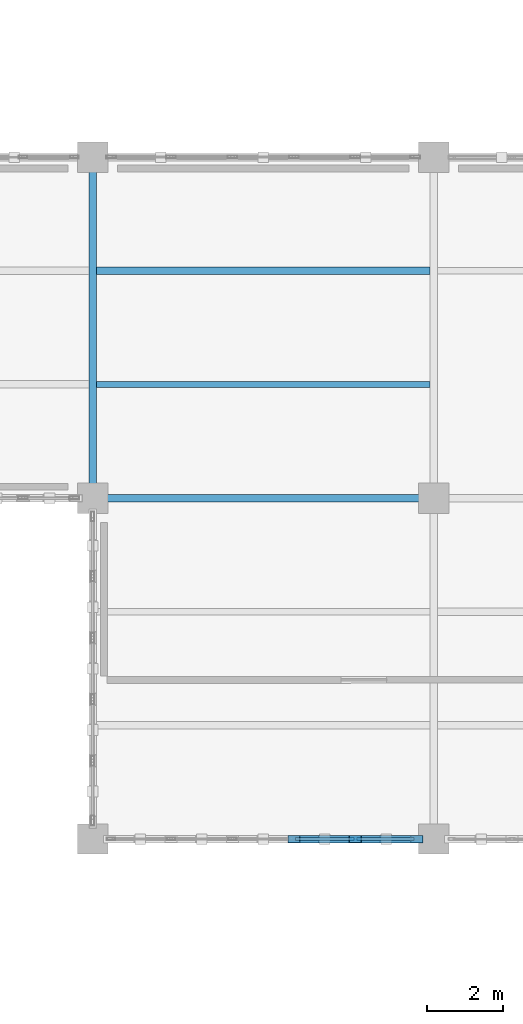
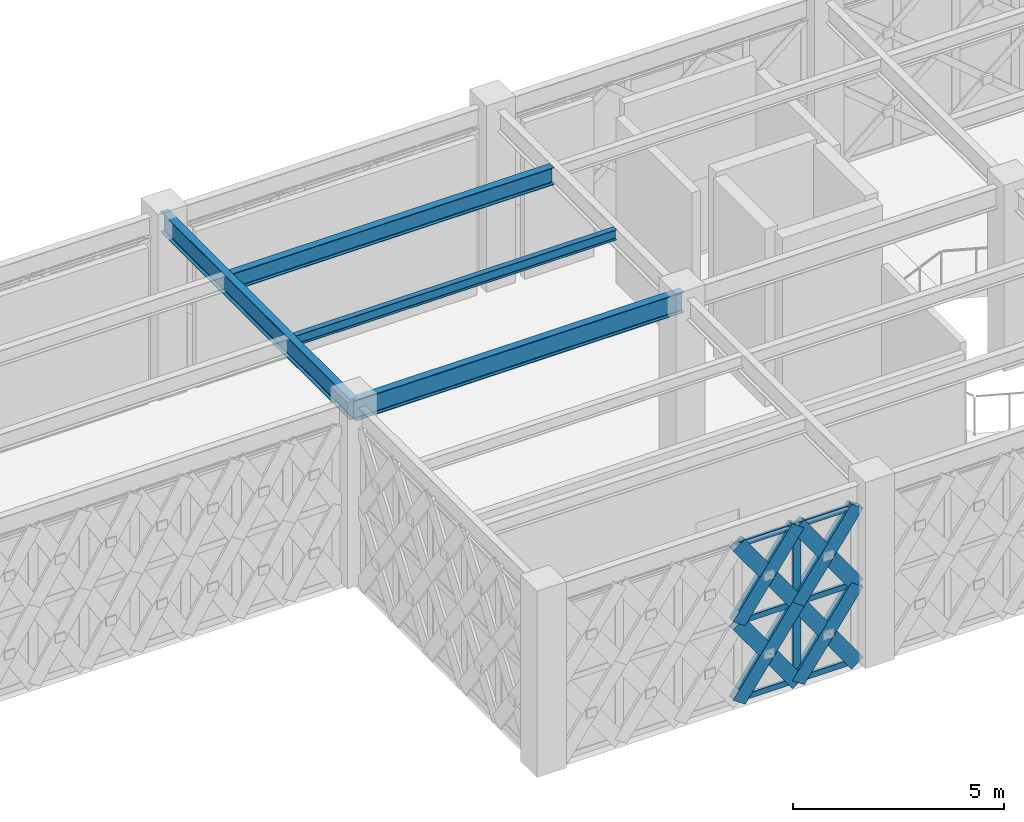
# One storey, part 7 of 86: 19 members, 4 beams, 1 element without a shape of its own.
"""IFC4 building model written with IfcOpenShell, lengths in metres."""

import ifcopenshell
import ifcopenshell.guid

model = None  # the IFC model being written
_history = None  # IfcOwnerHistory: only IFC2X3 demands one
_inside = {}  # id of a spatial element -> (the spatial element, [elements in it])
_under = {}  # id of a project, library or spatial element -> (it, [spatial elements below it])
_declared = {}  # id of a project -> (the project, [libraries it declares])
_typed = {}  # id of a type object -> (the type object, [elements of that type])
_made_of = {}  # id of a material, layer set ... -> (it, [elements and type objects made of it])


def new_model(schema):
    """Start an empty IFC model of exactly this schema.

    Asked for "IFC4X3", IfcOpenShell would pick the latest addendum, in which some entities
    have other attributes; the version numbers below select the first issue.
    IFC2X3 requires an IfcOwnerHistory on every rooted entity: one is made here for all.
    """
    global model, _history
    if schema == "IFC4X3":
        model = ifcopenshell.file(schema_version=(4, 3, 0, 0))
    else:
        model = ifcopenshell.file(schema=schema)
    _inside.clear()
    _under.clear()
    _declared.clear()
    _typed.clear()
    _made_of.clear()
    _history = None
    if model.schema == "IFC2X3":
        org = make("IfcOrganization", Name="unknown")
        user = make(
            "IfcPersonAndOrganization",
            ThePerson=make("IfcPerson", FamilyName="unknown"),
            TheOrganization=org,
        )
        app = make(
            "IfcApplication",
            ApplicationDeveloper=org,
            Version="unknown",
            ApplicationFullName="unknown",
            ApplicationIdentifier="unknown",
        )
        _history = make(
            "IfcOwnerHistory",
            OwningUser=user,
            OwningApplication=app,
            ChangeAction="ADDED",
            CreationDate=0,
        )
    return model


def make(cls, **values):
    """One entity of the class cls with the attributes given. An attribute that is None is left unset."""
    return model.create_entity(
        cls, **{name: value for name, value in values.items() if value is not None}
    )


def rooted(cls, **values):
    """An entity with a GlobalId (a new one), such as an element, a storey or a relation."""
    return make(cls, GlobalId=ifcopenshell.guid.new(), OwnerHistory=_history, **values)


def si_unit(unit_type, name, prefix=None):
    """IfcSIUnit, for example si_unit("LENGTHUNIT", "METRE", prefix="MILLI")."""
    return make("IfcSIUnit", UnitType=unit_type, Prefix=prefix, Name=name)


def assignment(units):
    """IfcUnitAssignment: the units of a project."""
    return None if units is None else make("IfcUnitAssignment", Units=units)


def point(xyz):
    """IfcCartesianPoint."""
    return None if xyz is None else make("IfcCartesianPoint", Coordinates=xyz)


def direction(xyz):
    """IfcDirection."""
    return None if xyz is None else make("IfcDirection", DirectionRatios=xyz)


def frame(location, z_axis=None, x_axis=None):
    """IfcAxis2Placement3D, a coordinate frame: its origin and axes. An axis left out is left unset."""
    return make(
        "IfcAxis2Placement3D",
        Location=point(location),
        Axis=direction(z_axis),
        RefDirection=direction(x_axis),
    )


def frame_2d(location, x_axis=None):
    """IfcAxis2Placement2D, a coordinate frame in the plane: its origin and x axis."""
    return make(
        "IfcAxis2Placement2D", Location=point(location), RefDirection=direction(x_axis)
    )


def origin():
    """The frame at (0, 0, 0) with its axes left unset."""
    return frame((0.0, 0.0, 0.0))


def origin_2d():
    """The frame at (0, 0) in the plane with its x axis left unset."""
    return frame_2d((0.0, 0.0))


def place(relative_to, where):
    """IfcLocalPlacement: puts the frame where relative to a parent placement (None: the world)."""
    return make(
        "IfcLocalPlacement", PlacementRelTo=relative_to, RelativePlacement=where
    )


def context(
    kind, dimensions, precision=None, world=None, true_north=None, identifier=None
):
    """IfcGeometricRepresentationContext, for example the 3D "Model" context."""
    return make(
        "IfcGeometricRepresentationContext",
        ContextIdentifier=identifier,
        ContextType=kind,
        CoordinateSpaceDimension=dimensions,
        Precision=precision,
        WorldCoordinateSystem=world,
        TrueNorth=true_north,
    )


def subcontext(parent, identifier, kind, view, scale=None):
    """IfcGeometricRepresentationSubContext, for example "Body" below "Model"."""
    return make(
        "IfcGeometricRepresentationSubContext",
        ContextIdentifier=identifier,
        ContextType=kind,
        ParentContext=parent,
        TargetScale=scale,
        TargetView=view,
    )


def project(units=None, contexts=None):
    """IfcProject with its units and contexts."""
    return rooted(
        "IfcProject",
        Name="project",
        RepresentationContexts=contexts,
        UnitsInContext=assignment(units),
    )


def spatial(cls, under=None, at=None, **own):
    """A site, building, storey or space (cls), placed at a placement, below another one or the project."""
    s = rooted(cls, ObjectPlacement=at, **own)
    if under is not None:
        _under.setdefault(under.id(), (under, []))[1].append(s)
    return s


def profile(cls, at=None, kind="AREA", **sizes):
    """A parametric profile (cls). Its sizes go by their IFC names, for example OverallWidth=200.0."""
    return make(cls, ProfileType=kind, Position=at, **sizes)


def hollow_rectangle(**sizes):
    """IfcRectangleHollowProfileDef."""
    return profile("IfcRectangleHollowProfileDef", **sizes)


def i_section(**sizes):
    """IfcIShapeProfileDef."""
    return profile("IfcIShapeProfileDef", **sizes)


def extrude(swept, where, along, depth):
    """IfcExtrudedAreaSolid: the profile swept, set in the frame where, extruded along a direction by depth."""
    return make(
        "IfcExtrudedAreaSolid",
        SweptArea=swept,
        Position=where,
        ExtrudedDirection=direction(along),
        Depth=depth,
    )


def shape(context_of_items, identifier, shape_type, items):
    """IfcShapeRepresentation: the items that make up one representation, for example the "Body"."""
    return make(
        "IfcShapeRepresentation",
        ContextOfItems=context_of_items,
        RepresentationIdentifier=identifier,
        RepresentationType=shape_type,
        Items=items,
    )


def material(Name=None, Category=None):
    """IfcMaterial."""
    return make("IfcMaterial", Name=Name, Category=Category)


def material_profile(
    of_material, cross_section, Name=None, Category=None, Priority=None
):
    """IfcMaterialProfile: a cross section and its material."""
    return make(
        "IfcMaterialProfile",
        Name=Name,
        Material=of_material,
        Profile=cross_section,
        Priority=Priority,
        Category=Category,
    )


def profile_set(profiles, Name=None, composite=None):
    """IfcMaterialProfileSet."""
    return make(
        "IfcMaterialProfileSet",
        Name=Name,
        MaterialProfiles=profiles,
        CompositeProfile=composite,
    )


def made_of(thing, what):
    """Note that an element or type object is made of a material, layer set ...; save() writes the relation."""
    if what is not None:
        _made_of.setdefault(what.id(), (what, []))[1].append(thing)
    return thing


def type_object(cls, material=None, **own):
    """A type object (cls), such as IfcWallType, which elements share."""
    return made_of(rooted(cls, **own), material)


def element(
    cls,
    number,
    at=None,
    inside=None,
    cuts=None,
    type_object=None,
    material=None,
    context=None,
    identifier="Body",
    shape_type=None,
    held_by="IfcProductDefinitionShape",
    body=None,
    shapes=None,
    **own,
):
    """One element of the class cls, such as IfcWall. Its Tag is "e" and its number.

    at: its placement. inside: the storey or other place that contains it. cuts: it is an
    opening in that element (IfcRelVoidsElement). A single representation is given by context,
    identifier, shape_type and body (its items); several are given by shapes. held_by: the class
    of the entity that holds the representations. save() writes the other relations.
    """
    e = rooted(cls, Tag="e%d" % number, ObjectPlacement=at, **own)
    if body is not None:
        shapes = [shape(context, identifier, shape_type, body)]
    if shapes is not None:
        e.Representation = make(held_by, Representations=shapes)
    if inside is not None:
        _inside.setdefault(inside.id(), (inside, []))[1].append(e)
    if cuts is not None:
        rooted(
            "IfcRelVoidsElement", RelatingBuildingElement=cuts, RelatedOpeningElement=e
        )
    if type_object is not None:
        _typed.setdefault(type_object.id(), (type_object, []))[1].append(e)
    return made_of(e, material)


def aggregate(whole, parts):
    """IfcRelAggregates: a whole, such as a stair, and the parts it consists of."""
    return rooted("IfcRelAggregates", RelatingObject=whole, RelatedObjects=parts)


def save(model, path):
    """Write the relations noted so far, then the file.

    IfcRelAggregates (storeys below a building ...), IfcRelContainedInSpatialStructure (elements
    in a storey), IfcRelDefinesByType, IfcRelAssociatesMaterial and IfcRelDeclares: one each for
    every whole, place, type object, material and project.
    """
    for whole, parts in _under.values():
        aggregate(whole, parts)
    for where, things in _inside.values():
        rooted(
            "IfcRelContainedInSpatialStructure",
            RelatedElements=things,
            RelatingStructure=where,
        )
    for kind, things in _typed.values():
        rooted("IfcRelDefinesByType", RelatedObjects=things, RelatingType=kind)
    for what, things in _made_of.values():
        rooted("IfcRelAssociatesMaterial", RelatedObjects=things, RelatingMaterial=what)
    for by, libraries in _declared.values():
        rooted("IfcRelDeclares", RelatingContext=by, RelatedDefinitions=libraries)
    model.write(path)


model = new_model("IFC4")

# Units and contexts
model_context = context("Model", 3, precision=1e-05, world=origin(), true_north=direction((0.0, 1.0)))
body_context = subcontext(model_context, "Body", "Model", "MODEL_VIEW")
ifc_project = project(units=[si_unit("LENGTHUNIT", "METRE"), si_unit("AREAUNIT", "SQUARE_METRE"), si_unit("VOLUMEUNIT", "CUBIC_METRE"), si_unit("PLANEANGLEUNIT", "RADIAN"), si_unit("MASSUNIT", "GRAM", prefix="KILO")], contexts=[model_context])

# Site, building, storey
site_placement = place(None, origin())
site = spatial("IfcSite", under=ifc_project, at=site_placement, CompositionType="ELEMENT")
building_placement = place(site_placement, origin())
building = spatial("IfcBuilding", under=site, at=building_placement, Name="Haizhuo Lancet Aquarium", CompositionType="ELEMENT")
storey_placement = place(building_placement, frame((0.0, 0.0, 16.199951171875)))
storey = spatial("IfcBuildingStorey", under=building, at=storey_placement, Name="L03", CompositionType="ELEMENT", Elevation=16.199951171875)

# Beams
ifc_material_1 = material(Name="Steel S355", Category="steel")
ifc_material_profile_1 = material_profile(ifc_material_1, i_section(OverallWidth=0.199951171875, OverallDepth=0.60009765625, WebThickness=0.010986328125, FlangeThickness=0.01708984375, FilletRadius=0.02197265625, at=origin_2d()), Name="HN 600x200x11x17")
ifc_profile_set_1 = profile_set([ifc_material_profile_1], Name="Steel S355")
beam_type_1 = type_object("IfcBeamType", Name="BM-ST-HN600", PredefinedType="BEAM", material=ifc_profile_set_1)
for number, where, z_axis, x_axis, name in (
    (1, (-72.0, -18.0, 4.85009765625), (0.0, 1.0, 0.0), (-1.0, 0.0, 0.0), "L03 V6 primary girder BM-L03-V6-006"),
    (2, (-72.0, -18.0, 4.85009765625), (1.0, 0.0, 0.0), (0.0, 1.0, 0.0), "L03 V6 primary girder BM-L03-V6-007"),
):
    element("IfcBeam", number, at=place(storey_placement, frame(where, z_axis=z_axis, x_axis=x_axis)), inside=storey, type_object=beam_type_1, Name=name, PredefinedType="BEAM", context=body_context, shape_type="SweptSolid", body=[
        extrude(i_section(OverallWidth=0.199951171875, OverallDepth=0.60009765625, WebThickness=0.010986328125, FlangeThickness=0.01708984375, FilletRadius=0.02197265625, at=origin_2d()), origin(), (0.0, 0.0, 1.0), 9.0),
    ])

# Curtain wall, members
ifc_material_2 = material(Name="Aluminium 6063-T6", Category="aluminium")
curtain_wall_type = type_object("IfcCurtainWallType", Name="CWD-8110x4550", PredefinedType="NOTDEFINED", material=ifc_material_2)
curtain_wall_placement = place(storey_placement, origin())
curtain_wall = element("IfcCurtainWall", 3, at=curtain_wall_placement, inside=storey, type_object=curtain_wall_type, Name="L03 curtain wall CW-V6-L03-242", PredefinedType="NOTDEFINED")
ifc_material_profile_2 = material_profile(ifc_material_2, hollow_rectangle(XDim=0.074951171875, YDim=0.219970703125, WallThickness=0.0048828125, at=origin_2d()), Name="ALU-M 75x220x5")
ifc_profile_set_2 = profile_set([ifc_material_profile_2], Name="Aluminium 6063-T6")
member_type_1 = type_object("IfcMemberType", Name="CW-MUL-2", PredefinedType="MULLION", material=ifc_profile_set_2)
member_1_placement = place(storey_placement, frame((-65.06689453125, -27.0, 0.0), z_axis=(0.0, 0.0, 1.0), x_axis=(0.0, -1.0, 0.0)))
member_1 = element("IfcMember", 4, at=member_1_placement, type_object=member_type_1, Name="CWD-81x45 mullion 2", PredefinedType="MULLION", context=body_context, shape_type="SweptSolid", body=[
    extrude(hollow_rectangle(XDim=0.074951171875, YDim=0.219970703125, WallThickness=0.0048828125, at=origin_2d()), origin(), (0.0, 0.0, 1.0), 4.550048828125),
])
ifc_material_profile_3 = material_profile(ifc_material_2, hollow_rectangle(XDim=0.074951171875, YDim=0.159912109375, WallThickness=0.00390625, at=origin_2d()), Name="ALU-T 75x160x4")
ifc_profile_set_3 = profile_set([ifc_material_profile_3], Name="Aluminium 6063-T6")
member_type_2 = type_object("IfcMemberType", Name="CW-TRN-2", PredefinedType="NOTDEFINED", material=ifc_profile_set_3)
member_2_placement = place(storey_placement, frame((-63.52001953125, -27.0, 0.0380859375), z_axis=(-1.0, 0.0, 0.0), x_axis=(0.0, -1.0, 0.0)))
member_2 = element("IfcMember", 5, at=member_2_placement, type_object=member_type_2, Name="CWD-81x45 transom 1.1", ObjectType="TRANSOM", PredefinedType="USERDEFINED", context=body_context, shape_type="SweptSolid", body=[
    extrude(hollow_rectangle(XDim=0.074951171875, YDim=0.159912109375, WallThickness=0.00390625, at=origin_2d()), origin(), (0.0, 0.0, 1.0), 1.509033203125),
])
member_3_placement = place(storey_placement, frame((-63.52001953125, -27.0, 2.275146484375), z_axis=(-1.0, 0.0, 0.0), x_axis=(0.0, -1.0, 0.0)))
member_3 = element("IfcMember", 6, at=member_3_placement, type_object=member_type_2, Name="CWD-81x45 transom 1.2", ObjectType="TRANSOM", PredefinedType="USERDEFINED", context=body_context, shape_type="SweptSolid", body=[
    extrude(hollow_rectangle(XDim=0.074951171875, YDim=0.159912109375, WallThickness=0.00390625, at=origin_2d()), origin(), (0.0, 0.0, 1.0), 1.509033203125),
])
member_4_placement = place(storey_placement, frame((-63.52001953125, -27.0, 4.511962890625), z_axis=(-1.0, 0.0, 0.0), x_axis=(0.0, -1.0, 0.0)))
member_4 = element("IfcMember", 7, at=member_4_placement, type_object=member_type_2, Name="CWD-81x45 transom 1.3", ObjectType="TRANSOM", PredefinedType="USERDEFINED", context=body_context, shape_type="SweptSolid", body=[
    extrude(hollow_rectangle(XDim=0.074951171875, YDim=0.159912109375, WallThickness=0.00390625, at=origin_2d()), origin(), (0.0, 0.0, 1.0), 1.509033203125),
])
member_5_placement = place(storey_placement, frame((-65.10498046875, -27.0, 0.0380859375), z_axis=(-1.0, 0.0, 0.0), x_axis=(0.0, -1.0, 0.0)))
member_5 = element("IfcMember", 8, at=member_5_placement, type_object=member_type_2, Name="CWD-81x45 transom 2.1", ObjectType="TRANSOM", PredefinedType="USERDEFINED", context=body_context, shape_type="SweptSolid", body=[
    extrude(hollow_rectangle(XDim=0.074951171875, YDim=0.159912109375, WallThickness=0.00390625, at=origin_2d()), origin(), (0.0, 0.0, 1.0), 1.5458984375),
])
member_6_placement = place(storey_placement, frame((-65.10498046875, -27.0, 2.275146484375), z_axis=(-1.0, 0.0, 0.0), x_axis=(0.0, -1.0, 0.0)))
member_6 = element("IfcMember", 9, at=member_6_placement, type_object=member_type_2, Name="CWD-81x45 transom 2.2", ObjectType="TRANSOM", PredefinedType="USERDEFINED", context=body_context, shape_type="SweptSolid", body=[
    extrude(hollow_rectangle(XDim=0.074951171875, YDim=0.159912109375, WallThickness=0.00390625, at=origin_2d()), origin(), (0.0, 0.0, 1.0), 1.5458984375),
])
member_7_placement = place(storey_placement, frame((-65.10498046875, -27.0, 4.511962890625), z_axis=(-1.0, 0.0, 0.0), x_axis=(0.0, -1.0, 0.0)))
member_7 = element("IfcMember", 10, at=member_7_placement, type_object=member_type_2, Name="CWD-81x45 transom 2.3", ObjectType="TRANSOM", PredefinedType="USERDEFINED", context=body_context, shape_type="SweptSolid", body=[
    extrude(hollow_rectangle(XDim=0.074951171875, YDim=0.159912109375, WallThickness=0.00390625, at=origin_2d()), origin(), (0.0, 0.0, 1.0), 1.5458984375),
])
aggregate(curtain_wall, [member_1, member_2, member_3, member_4, member_5, member_6, member_7])

# Beams
ifc_material_profile_4 = material_profile(ifc_material_1, i_section(OverallWidth=0.14990234375, OverallDepth=0.300048828125, WebThickness=0.006591796875, FlangeThickness=0.009033203125, FilletRadius=0.012939453125, at=origin_2d()), Name="HN 300x150x6.5x9")
ifc_profile_set_4 = profile_set([ifc_material_profile_4], Name="Steel S355")
beam_type_2 = type_object("IfcBeamType", Name="JST-ST-HN300", PredefinedType="JOIST", material=ifc_profile_set_4)
beam_1_placement = place(storey_placement, frame((-71.89990234375, -15.0, 5.0), z_axis=(1.0, 0.0, 0.0), x_axis=(0.0, 1.0, 0.0)))
element("IfcBeam", 11, at=beam_1_placement, inside=storey, type_object=beam_type_2, Name="L03 V6 secondary floor joist 5", PredefinedType="JOIST", context=body_context, shape_type="SweptSolid", body=[
    extrude(i_section(OverallWidth=0.14990234375, OverallDepth=0.300048828125, WebThickness=0.006591796875, FlangeThickness=0.009033203125, FilletRadius=0.012939453125, at=origin_2d()), origin(), (0.0, 0.0, 1.0), 8.7998046875),
])
ifc_material_profile_5 = material_profile(ifc_material_1, i_section(OverallWidth=0.199951171875, OverallDepth=0.5, WebThickness=0.010009765625, FlangeThickness=0.01611328125, FilletRadius=0.02001953125, at=origin_2d()), Name="HN 500x200x10x16")
ifc_profile_set_5 = profile_set([ifc_material_profile_5], Name="Steel S355")
beam_type_3 = type_object("IfcBeamType", Name="JST-ST-HN500", PredefinedType="JOIST", material=ifc_profile_set_5)
beam_2_placement = place(storey_placement, frame((-71.89990234375, -12.0, 4.900146484375), z_axis=(1.0, 0.0, 0.0), x_axis=(0.0, 1.0, 0.0)))
element("IfcBeam", 12, at=beam_2_placement, inside=storey, type_object=beam_type_3, Name="L03 V6 secondary floor joist 6", PredefinedType="JOIST", context=body_context, shape_type="SweptSolid", body=[
    extrude(i_section(OverallWidth=0.199951171875, OverallDepth=0.5, WebThickness=0.010009765625, FlangeThickness=0.01611328125, FilletRadius=0.02001953125, at=origin_2d()), origin(), (0.0, 0.0, 1.0), 8.7998046875),
])

# Members
ifc_material_profile_6 = material_profile(ifc_material_1, hollow_rectangle(XDim=0.199951171875, YDim=0.39990234375, WallThickness=0.011962890625, at=origin_2d()), Name="RHS 200x400x12")
ifc_profile_set_6 = profile_set([ifc_material_profile_6], Name="Steel S355")
member_type_3 = type_object("IfcMemberType", Name="MEM-LB-RHS200x400", PredefinedType="BRACE", material=ifc_profile_set_6)
member_8_placement = place(storey_placement, frame((-63.445068359375, -27.0, 0.0), z_axis=(-0.580460961116, 0.0, 0.81428807717), x_axis=(0.0, -1.0, 0.0)))
element("IfcMember", 13, at=member_8_placement, inside=storey, type_object=member_type_3, Name="Gothic lancet continuous diagonal brace CW-V6-L03-242 1A", PredefinedType="BRACE", context=body_context, shape_type="SweptSolid", body=[
    extrude(hollow_rectangle(XDim=0.199951171875, YDim=0.39990234375, WallThickness=0.011962890625, at=origin_2d()), origin(), (0.0, 0.0, 1.0), 2.7939453125),
])
member_9_placement = place(storey_placement, frame((-65.06689453125, -27.0, 0.0), z_axis=(0.580609578331, 0.0, 0.814182115715), x_axis=(0.0, 1.0, 0.0)))
element("IfcMember", 14, at=member_9_placement, inside=storey, type_object=member_type_3, Name="Gothic lancet split diagonal brace CW-V6-L03-242 1B1", PredefinedType="BRACE", context=body_context, shape_type="SweptSolid", body=[
    extrude(hollow_rectangle(XDim=0.199951171875, YDim=0.39990234375, WallThickness=0.011962890625, at=origin_2d()), origin(), (0.0, 0.0, 1.0), 1.396484375),
])
member_10_placement = place(storey_placement, frame((-64.256103515625, -27.0, 1.136962890625), z_axis=(0.580312445357, 0.0, 0.814393925422), x_axis=(0.0, 1.0, 0.0)))
element("IfcMember", 15, at=member_10_placement, inside=storey, type_object=member_type_3, Name="Gothic lancet split diagonal brace CW-V6-L03-242 1B2", PredefinedType="BRACE", context=body_context, shape_type="SweptSolid", body=[
    extrude(hollow_rectangle(XDim=0.199951171875, YDim=0.39990234375, WallThickness=0.011962890625, at=origin_2d()), origin(), (0.0, 0.0, 1.0), 1.397705078125),
])
member_11_placement = place(storey_placement, frame((-63.445068359375, -27.0, 2.275146484375), z_axis=(-0.58050226424, 0.0, 0.814258632875), x_axis=(0.0, -1.0, 0.0)))
element("IfcMember", 16, at=member_11_placement, inside=storey, type_object=member_type_3, Name="Gothic lancet continuous diagonal brace CW-V6-L03-242 2A", PredefinedType="BRACE", context=body_context, shape_type="SweptSolid", body=[
    extrude(hollow_rectangle(XDim=0.199951171875, YDim=0.39990234375, WallThickness=0.011962890625, at=origin_2d()), origin(), (0.0, 0.0, 1.0), 2.7939453125),
])
member_12_placement = place(storey_placement, frame((-65.06689453125, -27.0, 2.275146484375), z_axis=(0.580279135253, 0.0, 0.814417660166), x_axis=(0.0, 1.0, 0.0)))
element("IfcMember", 17, at=member_12_placement, inside=storey, type_object=member_type_3, Name="Gothic lancet split diagonal brace CW-V6-L03-242 2B1", PredefinedType="BRACE", context=body_context, shape_type="SweptSolid", body=[
    extrude(hollow_rectangle(XDim=0.199951171875, YDim=0.39990234375, WallThickness=0.011962890625, at=origin_2d()), origin(), (0.0, 0.0, 1.0), 1.397216796875),
])
member_13_placement = place(storey_placement, frame((-64.256103515625, -27.0, 3.4130859375), z_axis=(0.580725454015, 0.0, 0.814099470003), x_axis=(0.0, 1.0, 0.0)))
element("IfcMember", 18, at=member_13_placement, inside=storey, type_object=member_type_3, Name="Gothic lancet split diagonal brace CW-V6-L03-242 2B2", PredefinedType="BRACE", context=body_context, shape_type="SweptSolid", body=[
    extrude(hollow_rectangle(XDim=0.199951171875, YDim=0.39990234375, WallThickness=0.011962890625, at=origin_2d()), origin(), (0.0, 0.0, 1.0), 1.396484375),
])
member_14_placement = place(storey_placement, frame((-65.06689453125, -27.0, 0.0), z_axis=(-0.580518894897, 0.0, 0.814246776271), x_axis=(0.0, -1.0, 0.0)))
element("IfcMember", 19, at=member_14_placement, inside=storey, type_object=member_type_3, Name="Gothic lancet continuous diagonal brace CW-V6-L03-242 3A", PredefinedType="BRACE", context=body_context, shape_type="SweptSolid", body=[
    extrude(hollow_rectangle(XDim=0.199951171875, YDim=0.39990234375, WallThickness=0.011962890625, at=origin_2d()), origin(), (0.0, 0.0, 1.0), 2.794189453125),
])
member_15_placement = place(storey_placement, frame((-66.68896484375, -27.0, 0.0), z_axis=(0.580725454015, 0.0, 0.814099470003), x_axis=(0.0, 1.0, 0.0)))
element("IfcMember", 20, at=member_15_placement, inside=storey, type_object=member_type_3, Name="Gothic lancet split diagonal brace CW-V6-L03-242 3B1", PredefinedType="BRACE", context=body_context, shape_type="SweptSolid", body=[
    extrude(hollow_rectangle(XDim=0.199951171875, YDim=0.39990234375, WallThickness=0.011962890625, at=origin_2d()), origin(), (0.0, 0.0, 1.0), 1.396484375),
])
member_16_placement = place(storey_placement, frame((-65.8779296875, -27.0, 1.136962890625), z_axis=(0.580312445357, 0.0, 0.814393925422), x_axis=(0.0, 1.0, 0.0)))
element("IfcMember", 21, at=member_16_placement, inside=storey, type_object=member_type_3, Name="Gothic lancet split diagonal brace CW-V6-L03-242 3B2", PredefinedType="BRACE", context=body_context, shape_type="SweptSolid", body=[
    extrude(hollow_rectangle(XDim=0.199951171875, YDim=0.39990234375, WallThickness=0.011962890625, at=origin_2d()), origin(), (0.0, 0.0, 1.0), 1.397705078125),
])
member_17_placement = place(storey_placement, frame((-65.06689453125, -27.0, 2.275146484375), z_axis=(-0.580560197953, 0.0, 0.814217327593), x_axis=(0.0, -1.0, 0.0)))
element("IfcMember", 22, at=member_17_placement, inside=storey, type_object=member_type_3, Name="Gothic lancet continuous diagonal brace CW-V6-L03-242 4A", PredefinedType="BRACE", context=body_context, shape_type="SweptSolid", body=[
    extrude(hollow_rectangle(XDim=0.199951171875, YDim=0.39990234375, WallThickness=0.011962890625, at=origin_2d()), origin(), (0.0, 0.0, 1.0), 2.7939453125),
])
member_18_placement = place(storey_placement, frame((-66.68896484375, -27.0, 2.275146484375), z_axis=(0.580395012026, 0.0, 0.814335084603), x_axis=(0.0, 1.0, 0.0)))
element("IfcMember", 23, at=member_18_placement, inside=storey, type_object=member_type_3, Name="Gothic lancet split diagonal brace CW-V6-L03-242 4B1", PredefinedType="BRACE", context=body_context, shape_type="SweptSolid", body=[
    extrude(hollow_rectangle(XDim=0.199951171875, YDim=0.39990234375, WallThickness=0.011962890625, at=origin_2d()), origin(), (0.0, 0.0, 1.0), 1.3974609375),
])
member_19_placement = place(storey_placement, frame((-65.8779296875, -27.0, 3.4130859375), z_axis=(0.580725454015, 0.0, 0.814099470003), x_axis=(0.0, 1.0, 0.0)))
element("IfcMember", 24, at=member_19_placement, inside=storey, type_object=member_type_3, Name="Gothic lancet split diagonal brace CW-V6-L03-242 4B2", PredefinedType="BRACE", context=body_context, shape_type="SweptSolid", body=[
    extrude(hollow_rectangle(XDim=0.199951171875, YDim=0.39990234375, WallThickness=0.011962890625, at=origin_2d()), origin(), (0.0, 0.0, 1.0), 1.396484375),
])

save(model, "model.ifc")
